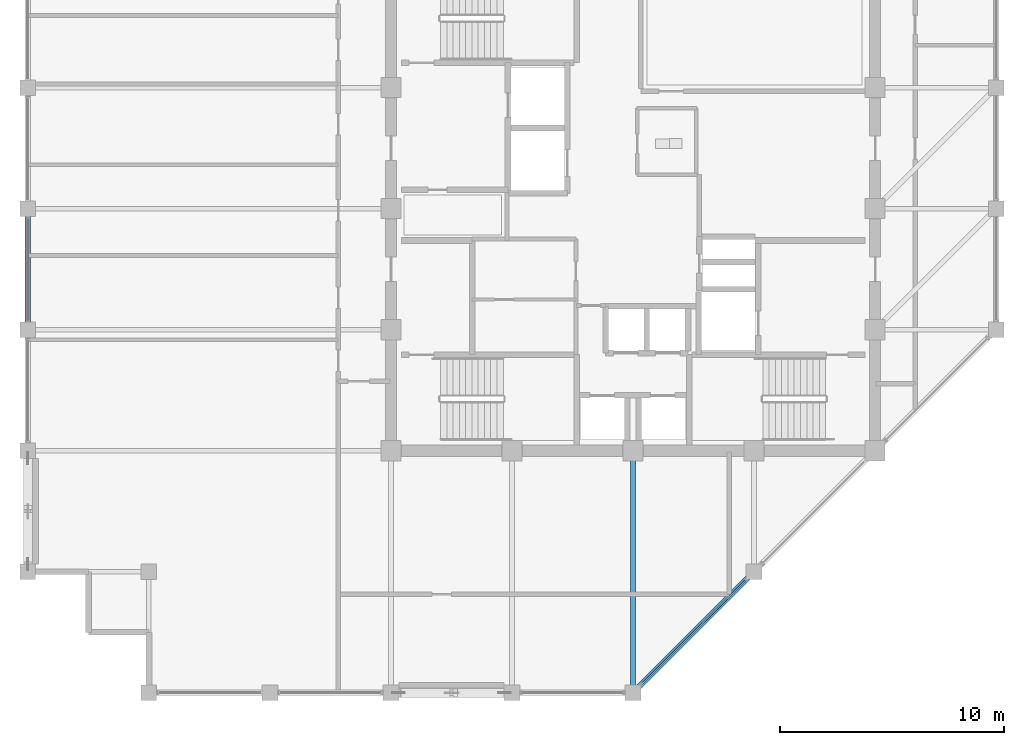
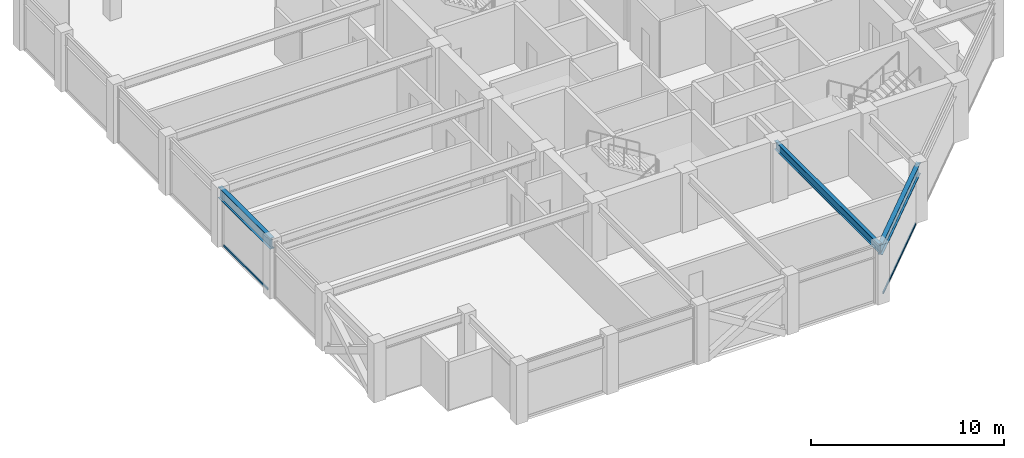
# One storey, part 7 of 30: 3 beams, 2 members, 2 elements without a shape of their own.
"""IFC4 building model written with IfcOpenShell, lengths in metres."""

from ifc_helpers import new_model, si_unit, direction, frame, origin, origin_2d, place, context, subcontext, project, spatial, hollow_rectangle, i_section, extrude, material, layer, layer_set, material_profile, profile_set, type_object, element, aggregate, save


model = new_model("IFC4")

# Units and contexts
model_context = context("Model", 3, precision=1e-05, world=origin(), true_north=direction((0.0, 1.0)))
body_context = subcontext(model_context, "Body", "Model", "MODEL_VIEW")
ifc_project = project(units=[si_unit("LENGTHUNIT", "METRE"), si_unit("AREAUNIT", "SQUARE_METRE"), si_unit("VOLUMEUNIT", "CUBIC_METRE"), si_unit("PLANEANGLEUNIT", "RADIAN"), si_unit("MASSUNIT", "GRAM", prefix="KILO")], contexts=[model_context])

# Site, building, storey
site_placement = place(None, origin())
site = spatial("IfcSite", under=ifc_project, at=site_placement, CompositionType="ELEMENT")
building_placement = place(site_placement, origin())
building = spatial("IfcBuilding", under=site, at=building_placement, Name="Surkhivell Harbour Commons", CompositionType="ELEMENT")
storey_placement = place(building_placement, frame((0.0, 0.0, 292.5)))
storey = spatial("IfcBuildingStorey", under=building, at=storey_placement, Name="L76", CompositionType="ELEMENT", Elevation=292.5)

# Beams
ifc_material_1 = material(Name="Steel S355", Category="steel")
ifc_material_profile_1 = material_profile(ifc_material_1, i_section(OverallWidth=0.2099609375, OverallDepth=0.537109375, WebThickness=0.0107421875, FlangeThickness=0.017333984375, at=origin_2d()), Name="UB533x210x101")
ifc_profile_set_1 = profile_set([ifc_material_profile_1], Name="Steel S355")
beam_type_1 = type_object("IfcBeamType", Name="BM-GRD-533B", PredefinedType="BEAM", material=ifc_profile_set_1)
beam_1_placement = place(storey_placement, frame((0.0, -21.60009765625, 3.301513671875), z_axis=(0.0, 1.0, 0.0), x_axis=(-1.0, 0.0, 0.0)))
element("IfcBeam", 1, at=beam_1_placement, inside=storey, type_object=beam_type_1, Name="L76 Floor Girder (0.0,-21.6)", PredefinedType="BEAM", context=body_context, shape_type="SweptSolid", body=[
    extrude(i_section(OverallWidth=0.2099609375, OverallDepth=0.537109375, WebThickness=0.0107421875, FlangeThickness=0.017333984375, at=origin_2d()), origin(), (0.0, 0.0, 1.0), 10.800048828125),
])
ifc_material_profile_2 = material_profile(ifc_material_1, i_section(OverallWidth=0.256103515625, OverallDepth=0.693115234375, WebThickness=0.014404296875, FlangeThickness=0.023681640625, at=origin_2d()), Name="UB686x254x170")
ifc_profile_set_2 = profile_set([ifc_material_profile_2], Name="Steel S355")
beam_type_2 = type_object("IfcBeamType", Name="BM-SPN-686", PredefinedType="SPANDREL", material=ifc_profile_set_2)
beam_2_placement = place(storey_placement, frame((-27.0, -5.39990234375, 3.223388671875), z_axis=(0.0, 1.0, 0.0), x_axis=(-1.0, 0.0, 0.0)))
element("IfcBeam", 2, at=beam_2_placement, inside=storey, type_object=beam_type_2, Name="L76 Tube Spandrel (-27.0,-5.4)", PredefinedType="SPANDREL", context=body_context, shape_type="SweptSolid", body=[
    extrude(i_section(OverallWidth=0.256103515625, OverallDepth=0.693115234375, WebThickness=0.014404296875, FlangeThickness=0.023681640625, at=origin_2d()), origin(), (0.0, 0.0, 1.0), 5.39990234375),
])
beam_3_placement = place(storey_placement, frame((0.0, -21.60009765625, 3.223388671875), z_axis=(0.707090796496, 0.707122765516, 0.0), x_axis=(-0.707122765516, 0.707090796496, 0.0)))
element("IfcBeam", 3, at=beam_3_placement, inside=storey, type_object=beam_type_2, Name="L76 Tube Spandrel (-0.0,-21.6)", PredefinedType="SPANDREL", context=body_context, shape_type="SweptSolid", body=[
    extrude(i_section(OverallWidth=0.256103515625, OverallDepth=0.693115234375, WebThickness=0.014404296875, FlangeThickness=0.023681640625, at=origin_2d()), origin(), (0.0, 0.0, 1.0), 7.63671875),
])

# Curtain wall, member
ifc_material_2 = material(Name="Anodised pale-metal aluminium and insulated glazing", Category="aluminium")
ifc_layer = layer(ifc_material_2, 0.175048828125)
ifc_layer_set = layer_set([ifc_layer], Name="Anodised pale-metal aluminium and insulated glazing")
curtain_wall_type = type_object("IfcCurtainWallType", Name="CW-SYS-Z4", PredefinedType="NOTDEFINED", material=ifc_layer_set)
curtain_wall_1_placement = place(storey_placement, origin())
curtain_wall_1 = element("IfcCurtainWall", 4, at=curtain_wall_1_placement, inside=storey, type_object=curtain_wall_type, Name="L76 Curtain Wall CW-L76-E01", PredefinedType="NOTDEFINED")
ifc_material_3 = material(Name="Champagne anodised aluminium alloy 6063-T6", Category="aluminium")
ifc_material_profile_3 = material_profile(ifc_material_3, hollow_rectangle(XDim=0.070068359375, YDim=0.1298828125, WallThickness=0.00341796875, at=origin_2d()), Name="ALU-TRAN-70x130")
ifc_profile_set_3 = profile_set([ifc_material_profile_3], Name="Champagne anodised aluminium alloy 6063-T6")
member_type = type_object("IfcMemberType", Name="CWT-130", PredefinedType="USERDEFINED", material=ifc_profile_set_3)
member_1_placement = place(storey_placement, frame((0.404541015625, -21.1953125, 0.06494140625), z_axis=(0.707125583467, 0.707087978406, 0.0), x_axis=(-0.707087978406, 0.707125583467, 0.0)))
member_1 = element("IfcMember", 5, at=member_1_placement, type_object=member_type, Name="CW-Z4 transom 1.1", ObjectType="TRANSOM", PredefinedType="USERDEFINED", context=body_context, shape_type="SweptSolid", body=[
    extrude(hollow_rectangle(XDim=0.070068359375, YDim=0.1298828125, WallThickness=0.00341796875, at=origin_2d()), origin(), (0.0, 0.0, 1.0), 6.4921875),
])
aggregate(curtain_wall_1, [member_1])

curtain_wall_2_placement = place(storey_placement, origin())
curtain_wall_2 = element("IfcCurtainWall", 6, at=curtain_wall_2_placement, inside=storey, type_object=curtain_wall_type, Name="L76 Curtain Wall CW-L76-E12S1", PredefinedType="NOTDEFINED")
member_2_placement = place(storey_placement, frame((-27.0, -0.427001953125, 0.06494140625), z_axis=(0.0, -1.0, 0.0), x_axis=(1.0, 0.0, 0.0)))
member_2 = element("IfcMember", 7, at=member_2_placement, type_object=member_type, Name="CW-Z4 transom 5.1", ObjectType="TRANSOM", PredefinedType="USERDEFINED", context=body_context, shape_type="SweptSolid", body=[
    extrude(hollow_rectangle(XDim=0.070068359375, YDim=0.1298828125, WallThickness=0.00341796875, at=origin_2d()), origin(), (0.0, 0.0, 1.0), 4.5458984375),
])
aggregate(curtain_wall_2, [member_2])

save(model, "model.ifc")
